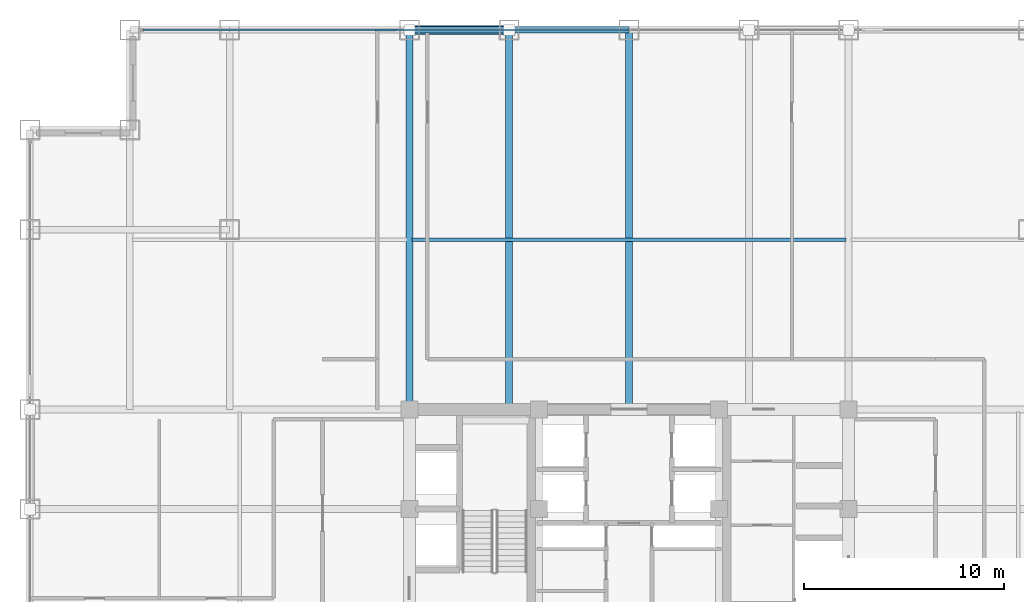
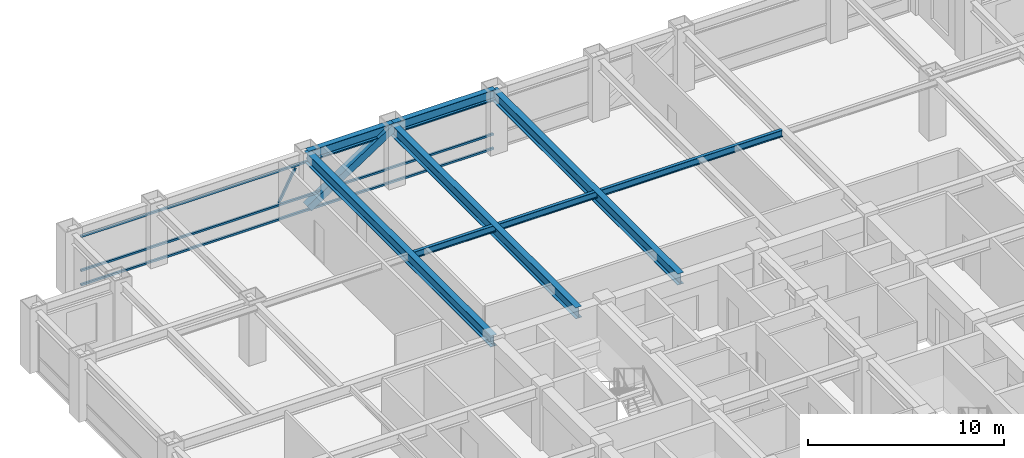
# One storey, part 15 of 24: 6 beams, 5 members, 1 element without a shape of its own.
"""IFC4 building model written with IfcOpenShell, lengths in metres."""

from ifc_helpers import new_model, si_unit, direction, frame, origin, origin_2d, place, context, subcontext, project, spatial, hollow_rectangle, i_section, extrude, source, transform, mapped, material, material_profile, profile_set, type_object, element, aggregate, save


model = new_model("IFC4")

# Units and contexts
model_context = context("Model", 3, precision=1e-05, world=origin(), true_north=direction((0.0, 1.0)))
body_context = subcontext(model_context, "Body", "Model", "MODEL_VIEW")
ifc_project = project(units=[si_unit("LENGTHUNIT", "METRE"), si_unit("AREAUNIT", "SQUARE_METRE"), si_unit("VOLUMEUNIT", "CUBIC_METRE"), si_unit("PLANEANGLEUNIT", "RADIAN"), si_unit("MASSUNIT", "GRAM", prefix="KILO")], contexts=[model_context])

# Site, building, storey
site_placement = place(None, origin())
site = spatial("IfcSite", under=ifc_project, at=site_placement, CompositionType="ELEMENT")
building_placement = place(site_placement, origin())
building = spatial("IfcBuilding", under=site, at=building_placement, Name="Khorayat Bourse Tower", CompositionType="ELEMENT")
storey_placement = place(building_placement, frame((0.0, 0.0, 219.10009765625)))
storey = spatial("IfcBuildingStorey", under=building, at=storey_placement, Name="L51", CompositionType="ELEMENT", Elevation=219.10009765625)

# Beams
ifc_material_1 = material(Name="Steel ASTM A992 Grade 50", Category="steel")
ifc_material_profile_1 = material_profile(ifc_material_1, i_section(OverallWidth=0.180908203125, OverallDepth=0.4169921875, WebThickness=0.010986328125, FlangeThickness=0.018310546875, FilletRadius=0.011962890625, at=origin_2d()), Name="W410X85")
ifc_profile_set_1 = profile_set([ifc_material_profile_1], Name="Steel ASTM A992 Grade 50")
beam_type_1 = type_object("IfcBeamType", Name="BM-JOIST-410", PredefinedType="JOIST", material=ifc_profile_set_1)
shared_shape_1 = source(origin(), body_context, "Body", "SweptSolid", [
    extrude(i_section(OverallWidth=0.180908203125, OverallDepth=0.4169921875, WebThickness=0.010986328125, FlangeThickness=0.018310546875, FilletRadius=0.011962890625, at=origin_2d()), origin(), (0.0, 0.0, 1.0), 21.740234375),
])
beam_1_placement = place(storey_placement, frame((-10.8701171875, 19.5, 3.5712890625), z_axis=(1.0, 0.0, 0.0), x_axis=(0.0, 1.0, 0.0)))
element("IfcBeam", 1, at=beam_1_placement, inside=storey, type_object=beam_type_1, Name="L51 BM-JOIST-410 BM-L51-JSTX-100", PredefinedType="JOIST", context=body_context, shape_type="MappedRepresentation", body=[
    mapped(shared_shape_1, transform((0.0, 0.0, 0.0), scale=1.0)),
])
ifc_material_profile_2 = material_profile(ifc_material_1, i_section(OverallWidth=0.324951171875, OverallDepth=0.615966796875, WebThickness=0.013916015625, FlangeThickness=0.021484375, FilletRadius=0.01611328125, at=origin_2d()), Name="W610X174")
ifc_profile_set_2 = profile_set([ifc_material_profile_2], Name="Steel ASTM A992 Grade 50")
beam_type_2 = type_object("IfcBeamType", Name="BM-SPAN-610", PredefinedType="SPANDREL", material=ifc_profile_set_2)
shared_shape_2 = source(origin(), body_context, "Body", "SweptSolid", [
    extrude(i_section(OverallWidth=0.324951171875, OverallDepth=0.615966796875, WebThickness=0.013916015625, FlangeThickness=0.021484375, FilletRadius=0.01611328125, at=origin_2d()), origin(), (0.0, 0.0, 1.0), 5.0),
])
beam_2_placement = place(storey_placement, frame((-11.0, 30.0, 3.471923828125), z_axis=(1.0, 0.0, 0.0), x_axis=(0.0, 1.0, 0.0)))
element("IfcBeam", 2, at=beam_2_placement, inside=storey, type_object=beam_type_2, Name="L51 BM-SPAN-610 BM-L51-SPN-049", PredefinedType="SPANDREL", context=body_context, shape_type="MappedRepresentation", body=[
    mapped(shared_shape_2, transform((0.0, 0.0, 0.0), scale=1.0)),
])
shared_shape_3 = source(origin(), body_context, "Body", "SweptSolid", [
    extrude(i_section(OverallWidth=0.324951171875, OverallDepth=0.615966796875, WebThickness=0.013916015625, FlangeThickness=0.021484375, FilletRadius=0.01611328125, at=origin_2d()), origin(), (0.0, 0.0, 1.0), 6.0),
])
beam_3_placement = place(storey_placement, frame((-6.0, 30.0, 3.471923828125), z_axis=(1.0, 0.0, 0.0), x_axis=(0.0, 1.0, 0.0)))
element("IfcBeam", 3, at=beam_3_placement, inside=storey, type_object=beam_type_2, Name="L51 BM-SPAN-610 BM-L51-SPN-048", PredefinedType="SPANDREL", context=body_context, shape_type="MappedRepresentation", body=[
    mapped(shared_shape_3, transform((0.0, 0.0, 0.0), scale=1.0)),
])
ifc_material_profile_3 = material_profile(ifc_material_1, i_section(OverallWidth=0.35498046875, OverallDepth=0.695068359375, WebThickness=0.015380859375, FlangeThickness=0.02490234375, FilletRadius=0.01806640625, at=origin_2d()), Name="W690X217")
ifc_profile_set_3 = profile_set([ifc_material_profile_3], Name="Steel ASTM A992 Grade 50")
beam_type_3 = type_object("IfcBeamType", Name="BM-GIRD-690", PredefinedType="BEAM", material=ifc_profile_set_3)
shared_shape_4 = source(origin(), body_context, "Body", "SweptSolid", [
    extrude(i_section(OverallWidth=0.35498046875, OverallDepth=0.695068359375, WebThickness=0.015380859375, FlangeThickness=0.02490234375, FilletRadius=0.01806640625, at=origin_2d()), origin(), (0.0, 0.0, 1.0), 19.0),
])
for number, where, z_axis, x_axis, name in (
    (4, (-11.0, 11.0, 3.432373046875), (0.0, 1.0, 0.0), (-1.0, 0.0, 0.0), "L51 BM-GIRD-690 BM-L51-RADY-064"),
    (5, (-6.0, 11.0, 3.432373046875), (0.0, 1.0, 0.0), (-1.0, 0.0, 0.0), "L51 BM-GIRD-690 BM-L51-RADY-066"),
    (6, (0.0, 11.0, 3.432373046875), (0.0, 1.0, 0.0), (-1.0, 0.0, 0.0), "L51 BM-GIRD-690 BM-L51-RADY-068"),
):
    element("IfcBeam", number, at=place(storey_placement, frame(where, z_axis=z_axis, x_axis=x_axis)), inside=storey, type_object=beam_type_3, Name=name, PredefinedType="BEAM", context=body_context, shape_type="MappedRepresentation", body=[
        mapped(shared_shape_4, transform((0.0, 0.0, 0.0), scale=1.0)),
    ])

# Member
ifc_material_2 = material(Name="Steel EN 10025-4 S460M", Category="steel")
ifc_material_profile_4 = material_profile(ifc_material_2, hollow_rectangle(XDim=0.449951171875, YDim=0.449951171875, WallThickness=0.02490234375, at=origin_2d()), Name="HSS 450x450x25")
ifc_profile_set_4 = profile_set([ifc_material_profile_4], Name="Steel EN 10025-4 S460M")
member_type_1 = type_object("IfcMemberType", Name="MBR-TUBE-450", PredefinedType="BRACE", material=ifc_profile_set_4)
shared_shape_5 = source(origin(), body_context, "Body", "SweptSolid", [
    extrude(hollow_rectangle(XDim=0.449951171875, YDim=0.449951171875, WallThickness=0.02490234375, at=origin_2d()), origin(), (0.0, 0.0, 1.0), 5.979736328125),
])
member_1_placement = place(storey_placement, frame((-11.0, 30.0, 0.25), z_axis=(0.836160261256, 0.0, 0.548485202623), x_axis=(0.0, 1.0, 0.0)))
element("IfcMember", 7, at=member_1_placement, inside=storey, type_object=member_type_1, Name="L51 Perimeter Tube Brace 03", PredefinedType="BRACE", context=body_context, shape_type="MappedRepresentation", body=[
    mapped(shared_shape_5, transform((0.0, 0.0, 0.0), scale=1.0)),
])

# Curtain wall, members
ifc_material_3 = material(Name="Aluminium EN AW-6063 T6", Category="aluminium")
curtain_wall_type = type_object("IfcCurtainWallType", Name="CW-SYS-03", PredefinedType="NOTDEFINED", material=ifc_material_3)
curtain_wall_placement = place(storey_placement, origin())
curtain_wall = element("IfcCurtainWall", 8, at=curtain_wall_placement, inside=storey, type_object=curtain_wall_type, Name="L51 Curtain Wall CW-L51-N1", PredefinedType="NOTDEFINED")
ifc_material_profile_5 = material_profile(ifc_material_3, hollow_rectangle(XDim=0.1201171875, YDim=0.1201171875, WallThickness=0.0048828125, at=origin_2d()), Name="ALU 120x120x5")
ifc_profile_set_5 = profile_set([ifc_material_profile_5], Name="Aluminium EN AW-6063 T6")
member_type_2 = type_object("IfcMemberType", Name="CWM-DIAG-120", PredefinedType="MULLION", material=ifc_profile_set_5)
shared_shape_6 = source(origin(), body_context, "Body", "SweptSolid", [
    extrude(hollow_rectangle(XDim=0.1201171875, YDim=0.1201171875, WallThickness=0.0048828125, at=origin_2d()), origin(), (0.0, 0.0, 1.0), 2.079345703125),
])
member_2_placement = place(storey_placement, frame((-12.67919921875, 30.0, 1.08984375), z_axis=(0.465760949701, 0.0, 0.884910581773), x_axis=(0.0, 1.0, 0.0)))
member_2 = element("IfcMember", 9, at=member_2_placement, type_object=member_type_2, Name="CW-L51-N1 Faceted Diagonal Mullion 1", PredefinedType="MULLION", context=body_context, shape_type="MappedRepresentation", body=[
    mapped(shared_shape_6, transform((0.0, 0.0, 0.0), scale=1.0)),
])
ifc_material_profile_6 = material_profile(ifc_material_3, hollow_rectangle(XDim=0.1201171875, YDim=0.1201171875, WallThickness=0.0048828125, at=origin_2d()), Name="ALU 120x120x5")
ifc_profile_set_6 = profile_set([ifc_material_profile_6], Name="Aluminium EN AW-6063 T6")
member_type_3 = type_object("IfcMemberType", Name="CWT-HORZ-120", PredefinedType="USERDEFINED", material=ifc_profile_set_6)
shared_shape_7 = source(origin(), body_context, "Body", "SweptSolid", [
    extrude(hollow_rectangle(XDim=0.1201171875, YDim=0.1201171875, WallThickness=0.0048828125, at=origin_2d()), origin(), (0.0, 0.0, 1.0), 24.27001953125),
])
member_3_placement = place(storey_placement, frame((-24.330078125, 30.0, 0.059814453125), z_axis=(1.0, 0.0, 0.0), x_axis=(0.0, 1.0, 0.0)))
member_3 = element("IfcMember", 10, at=member_3_placement, type_object=member_type_3, Name="CW-L51-N1 Horizontal Transom 1-1", ObjectType="TRANSOM", PredefinedType="USERDEFINED", context=body_context, shape_type="MappedRepresentation", body=[
    mapped(shared_shape_7, transform((0.0, 0.0, 0.0), scale=1.0)),
])
member_4_placement = place(storey_placement, frame((-24.330078125, 30.0, 0.949951171875), z_axis=(1.0, 0.0, 0.0), x_axis=(0.0, 1.0, 0.0)))
member_4 = element("IfcMember", 11, at=member_4_placement, type_object=member_type_3, Name="CW-L51-N1 Horizontal Transom 1-2", ObjectType="TRANSOM", PredefinedType="USERDEFINED", context=body_context, shape_type="MappedRepresentation", body=[
    mapped(shared_shape_7, transform((0.0, 0.0, 0.0), scale=1.0)),
])
member_5_placement = place(storey_placement, frame((-24.330078125, 30.0, 3.06982421875), z_axis=(1.0, 0.0, 0.0), x_axis=(0.0, 1.0, 0.0)))
member_5 = element("IfcMember", 12, at=member_5_placement, type_object=member_type_3, Name="CW-L51-N1 Horizontal Transom 1-3", ObjectType="TRANSOM", PredefinedType="USERDEFINED", context=body_context, shape_type="MappedRepresentation", body=[
    mapped(shared_shape_7, transform((0.0, 0.0, 0.0), scale=1.0)),
])
aggregate(curtain_wall, [member_3, member_4, member_5, member_2])

save(model, "model.ifc")
